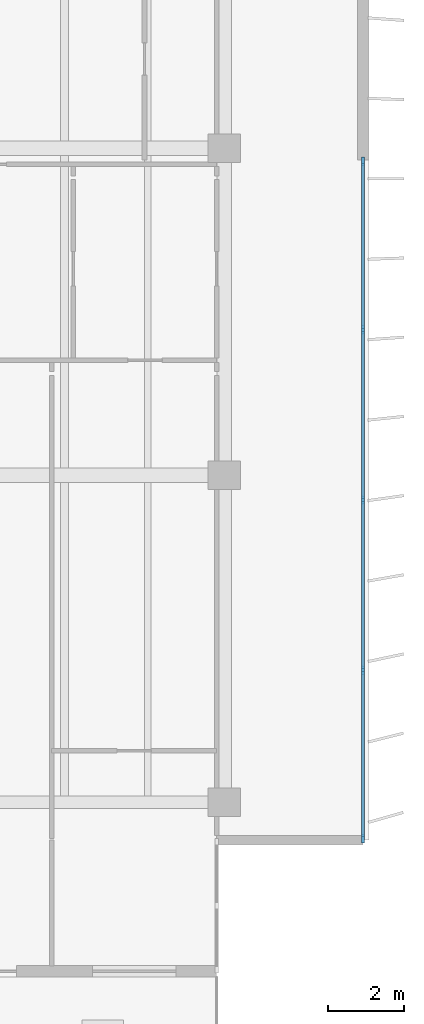
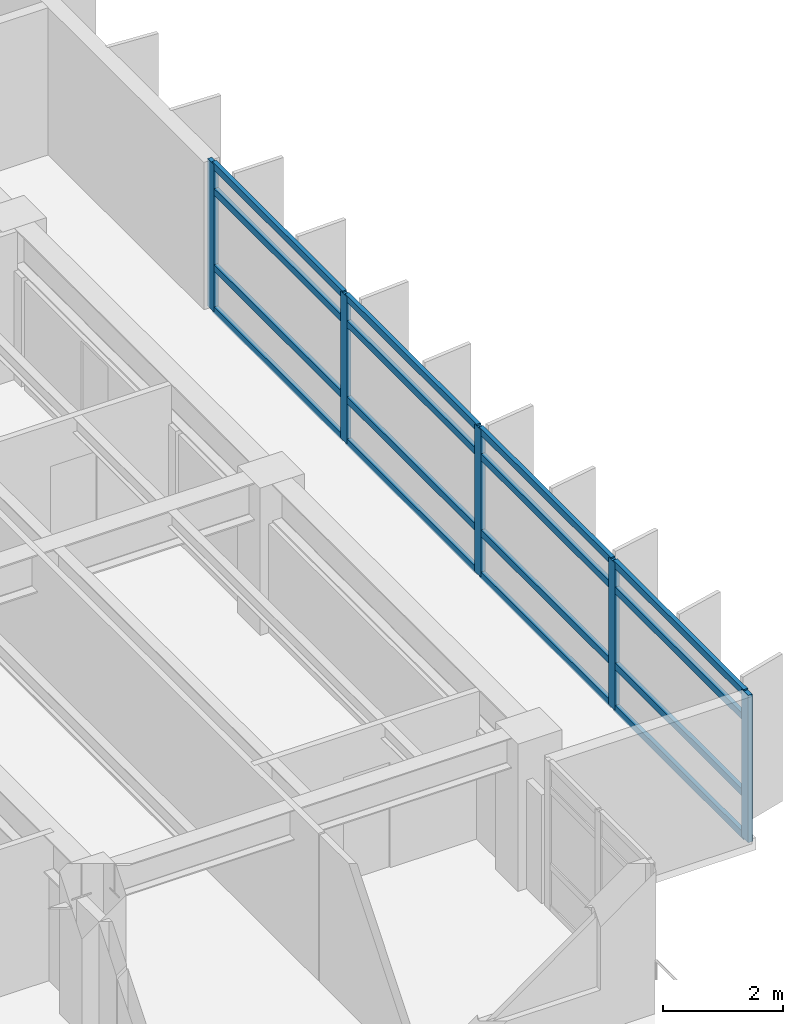
# One storey, part 6 of 19: 21 members, 1 element without a shape of its own.
"""IFC4 building model written with IfcOpenShell, lengths in metres."""

from ifc_helpers import new_model, si_unit, direction, frame, origin, origin_2d, place, context, subcontext, project, spatial, rectangle, extrude, material, layer, layer_set, material_profile, profile_set, type_object, element, aggregate, save


model = new_model("IFC4")

# Units and contexts
model_context = context("Model", 3, precision=1e-05, world=origin(), true_north=direction((0.0, 1.0)))
body_context = subcontext(model_context, "Body", "Model", "MODEL_VIEW")
ifc_project = project(units=[si_unit("LENGTHUNIT", "METRE"), si_unit("AREAUNIT", "SQUARE_METRE"), si_unit("VOLUMEUNIT", "CUBIC_METRE"), si_unit("PLANEANGLEUNIT", "RADIAN"), si_unit("MASSUNIT", "GRAM", prefix="KILO")], contexts=[model_context])

# Site, building, storey
site_placement = place(None, origin())
site = spatial("IfcSite", under=ifc_project, at=site_placement, CompositionType="ELEMENT")
building_placement = place(site_placement, origin())
building = spatial("IfcBuilding", under=site, at=building_placement, Name="Caelmar Bay Residences", CompositionType="ELEMENT")
storey_placement = place(building_placement, frame((0.0, 0.0, 218.10009765625)))
storey = spatial("IfcBuildingStorey", under=building, at=storey_placement, Name="L61", CompositionType="ELEMENT", Elevation=218.10009765625)

# Curtain wall, members
ifc_material_1 = material(Name="Anodised bronze aluminium 6063-T6 and laminated glass", Category="aluminium")
ifc_layer = layer(ifc_material_1, 0.179931640625)
ifc_layer_set = layer_set([ifc_layer], Name="Anodised bronze aluminium 6063-T6 and laminated glass")
curtain_wall_type = type_object("IfcCurtainWallType", Name="CW4-Z3", PredefinedType="NOTDEFINED", material=ifc_layer_set)
curtain_wall_placement = place(storey_placement, origin())
curtain_wall = element("IfcCurtainWall", 1, at=curtain_wall_placement, inside=storey, type_object=curtain_wall_type, Name="CW4 curtain wall L61", PredefinedType="NOTDEFINED")
ifc_material_2 = material(Name="Anodised bronze aluminium 6063-T6", Category="aluminium")
ifc_material_profile_1 = material_profile(ifc_material_2, rectangle(XDim=0.080078125, YDim=0.219970703125, at=origin_2d()), Name="CWM-80X220")
ifc_profile_set_1 = profile_set([ifc_material_profile_1], Name="Anodised bronze aluminium 6063-T6")
member_type_1 = type_object("IfcMemberType", Name="CWM-220", PredefinedType="MULLION", material=ifc_profile_set_1)
member_1_placement = place(storey_placement, frame((71.550048828125, 29.06005859375, 0.0), z_axis=(0.0, 0.0, 1.0), x_axis=(1.0, 0.0, 0.0)))
member_1 = element("IfcMember", 2, at=member_1_placement, type_object=member_type_1, Name="CW4 mullion 1", PredefinedType="MULLION", context=body_context, shape_type="SweptSolid", body=[
    extrude(rectangle(XDim=0.080078125, YDim=0.219970703125, at=origin_2d()), origin(), (0.0, 0.0, 1.0), 3.0),
])
member_2_placement = place(storey_placement, frame((71.550048828125, 24.625, 0.0), z_axis=(0.0, 0.0, 1.0), x_axis=(1.0, 0.0, 0.0)))
member_2 = element("IfcMember", 3, at=member_2_placement, type_object=member_type_1, Name="CW4 mullion 2", PredefinedType="MULLION", context=body_context, shape_type="SweptSolid", body=[
    extrude(rectangle(XDim=0.080078125, YDim=0.219970703125, at=origin_2d()), origin(), (0.0, 0.0, 1.0), 3.0),
])
member_3_placement = place(storey_placement, frame((71.550048828125, 20.14990234375, 0.0), z_axis=(0.0, 0.0, 1.0), x_axis=(1.0, 0.0, 0.0)))
member_3 = element("IfcMember", 4, at=member_3_placement, type_object=member_type_1, Name="CW4 mullion 3", PredefinedType="MULLION", context=body_context, shape_type="SweptSolid", body=[
    extrude(rectangle(XDim=0.080078125, YDim=0.219970703125, at=origin_2d()), origin(), (0.0, 0.0, 1.0), 3.0),
])
member_4_placement = place(storey_placement, frame((71.550048828125, 15.675048828125, 0.0), z_axis=(0.0, 0.0, 1.0), x_axis=(1.0, 0.0, 0.0)))
member_4 = element("IfcMember", 5, at=member_4_placement, type_object=member_type_1, Name="CW4 mullion 4", PredefinedType="MULLION", context=body_context, shape_type="SweptSolid", body=[
    extrude(rectangle(XDim=0.080078125, YDim=0.219970703125, at=origin_2d()), origin(), (0.0, 0.0, 1.0), 3.0),
])
member_5_placement = place(storey_placement, frame((71.550048828125, 11.239990234375, 0.0), z_axis=(0.0, 0.0, 1.0), x_axis=(1.0, 0.0, 0.0)))
member_5 = element("IfcMember", 6, at=member_5_placement, type_object=member_type_1, Name="CW4 mullion 5", PredefinedType="MULLION", context=body_context, shape_type="SweptSolid", body=[
    extrude(rectangle(XDim=0.080078125, YDim=0.219970703125, at=origin_2d()), origin(), (0.0, 0.0, 1.0), 3.0),
])
ifc_material_profile_2 = material_profile(ifc_material_2, rectangle(XDim=0.080078125, YDim=0.139892578125, at=origin_2d()), Name="CWT-80X140")
ifc_profile_set_2 = profile_set([ifc_material_profile_2], Name="Anodised bronze aluminium 6063-T6")
member_type_2 = type_object("IfcMemberType", Name="CWT-140", PredefinedType="NOTDEFINED", material=ifc_profile_set_2)
member_6_placement = place(storey_placement, frame((71.550048828125, 29.02001953125, 0.039794921875), z_axis=(0.0, -1.0, 0.0), x_axis=(1.0, 0.0, 0.0)))
member_6 = element("IfcMember", 7, at=member_6_placement, type_object=member_type_2, Name="CW4 transom 1.1", ObjectType="TRANSOM", PredefinedType="USERDEFINED", context=body_context, shape_type="SweptSolid", body=[
    extrude(rectangle(XDim=0.080078125, YDim=0.139892578125, at=origin_2d()), origin(), (0.0, 0.0, 1.0), 4.35498046875),
])
member_7_placement = place(storey_placement, frame((71.550048828125, 29.02001953125, 0.89990234375), z_axis=(0.0, -1.0, 0.0), x_axis=(1.0, 0.0, 0.0)))
member_7 = element("IfcMember", 8, at=member_7_placement, type_object=member_type_2, Name="CW4 transom 1.2", ObjectType="TRANSOM", PredefinedType="USERDEFINED", context=body_context, shape_type="SweptSolid", body=[
    extrude(rectangle(XDim=0.080078125, YDim=0.139892578125, at=origin_2d()), origin(), (0.0, 0.0, 1.0), 4.35498046875),
])
member_8_placement = place(storey_placement, frame((71.550048828125, 29.02001953125, 2.449951171875), z_axis=(0.0, -1.0, 0.0), x_axis=(1.0, 0.0, 0.0)))
member_8 = element("IfcMember", 9, at=member_8_placement, type_object=member_type_2, Name="CW4 transom 1.3", ObjectType="TRANSOM", PredefinedType="USERDEFINED", context=body_context, shape_type="SweptSolid", body=[
    extrude(rectangle(XDim=0.080078125, YDim=0.139892578125, at=origin_2d()), origin(), (0.0, 0.0, 1.0), 4.35498046875),
])
member_9_placement = place(storey_placement, frame((71.550048828125, 29.02001953125, 2.9599609375), z_axis=(0.0, -1.0, 0.0), x_axis=(1.0, 0.0, 0.0)))
member_9 = element("IfcMember", 10, at=member_9_placement, type_object=member_type_2, Name="CW4 transom 1.4", ObjectType="TRANSOM", PredefinedType="USERDEFINED", context=body_context, shape_type="SweptSolid", body=[
    extrude(rectangle(XDim=0.080078125, YDim=0.139892578125, at=origin_2d()), origin(), (0.0, 0.0, 1.0), 4.35498046875),
])
member_10_placement = place(storey_placement, frame((71.550048828125, 24.5849609375, 0.039794921875), z_axis=(0.0, -1.0, 0.0), x_axis=(1.0, 0.0, 0.0)))
member_10 = element("IfcMember", 11, at=member_10_placement, type_object=member_type_2, Name="CW4 transom 2.1", ObjectType="TRANSOM", PredefinedType="USERDEFINED", context=body_context, shape_type="SweptSolid", body=[
    extrude(rectangle(XDim=0.080078125, YDim=0.139892578125, at=origin_2d()), origin(), (0.0, 0.0, 1.0), 4.39501953125),
])
member_11_placement = place(storey_placement, frame((71.550048828125, 24.5849609375, 0.89990234375), z_axis=(0.0, -1.0, 0.0), x_axis=(1.0, 0.0, 0.0)))
member_11 = element("IfcMember", 12, at=member_11_placement, type_object=member_type_2, Name="CW4 transom 2.2", ObjectType="TRANSOM", PredefinedType="USERDEFINED", context=body_context, shape_type="SweptSolid", body=[
    extrude(rectangle(XDim=0.080078125, YDim=0.139892578125, at=origin_2d()), origin(), (0.0, 0.0, 1.0), 4.39501953125),
])
member_12_placement = place(storey_placement, frame((71.550048828125, 24.5849609375, 2.449951171875), z_axis=(0.0, -1.0, 0.0), x_axis=(1.0, 0.0, 0.0)))
member_12 = element("IfcMember", 13, at=member_12_placement, type_object=member_type_2, Name="CW4 transom 2.3", ObjectType="TRANSOM", PredefinedType="USERDEFINED", context=body_context, shape_type="SweptSolid", body=[
    extrude(rectangle(XDim=0.080078125, YDim=0.139892578125, at=origin_2d()), origin(), (0.0, 0.0, 1.0), 4.39501953125),
])
member_13_placement = place(storey_placement, frame((71.550048828125, 24.5849609375, 2.9599609375), z_axis=(0.0, -1.0, 0.0), x_axis=(1.0, 0.0, 0.0)))
member_13 = element("IfcMember", 14, at=member_13_placement, type_object=member_type_2, Name="CW4 transom 2.4", ObjectType="TRANSOM", PredefinedType="USERDEFINED", context=body_context, shape_type="SweptSolid", body=[
    extrude(rectangle(XDim=0.080078125, YDim=0.139892578125, at=origin_2d()), origin(), (0.0, 0.0, 1.0), 4.39501953125),
])
member_14_placement = place(storey_placement, frame((71.550048828125, 20.110107421875, 0.039794921875), z_axis=(0.0, -1.0, 0.0), x_axis=(1.0, 0.0, 0.0)))
member_14 = element("IfcMember", 15, at=member_14_placement, type_object=member_type_2, Name="CW4 transom 3.1", ObjectType="TRANSOM", PredefinedType="USERDEFINED", context=body_context, shape_type="SweptSolid", body=[
    extrude(rectangle(XDim=0.080078125, YDim=0.139892578125, at=origin_2d()), origin(), (0.0, 0.0, 1.0), 4.39501953125),
])
member_15_placement = place(storey_placement, frame((71.550048828125, 20.110107421875, 0.89990234375), z_axis=(0.0, -1.0, 0.0), x_axis=(1.0, 0.0, 0.0)))
member_15 = element("IfcMember", 16, at=member_15_placement, type_object=member_type_2, Name="CW4 transom 3.2", ObjectType="TRANSOM", PredefinedType="USERDEFINED", context=body_context, shape_type="SweptSolid", body=[
    extrude(rectangle(XDim=0.080078125, YDim=0.139892578125, at=origin_2d()), origin(), (0.0, 0.0, 1.0), 4.39501953125),
])
member_16_placement = place(storey_placement, frame((71.550048828125, 20.110107421875, 2.449951171875), z_axis=(0.0, -1.0, 0.0), x_axis=(1.0, 0.0, 0.0)))
member_16 = element("IfcMember", 17, at=member_16_placement, type_object=member_type_2, Name="CW4 transom 3.3", ObjectType="TRANSOM", PredefinedType="USERDEFINED", context=body_context, shape_type="SweptSolid", body=[
    extrude(rectangle(XDim=0.080078125, YDim=0.139892578125, at=origin_2d()), origin(), (0.0, 0.0, 1.0), 4.39501953125),
])
member_17_placement = place(storey_placement, frame((71.550048828125, 20.110107421875, 2.9599609375), z_axis=(0.0, -1.0, 0.0), x_axis=(1.0, 0.0, 0.0)))
member_17 = element("IfcMember", 18, at=member_17_placement, type_object=member_type_2, Name="CW4 transom 3.4", ObjectType="TRANSOM", PredefinedType="USERDEFINED", context=body_context, shape_type="SweptSolid", body=[
    extrude(rectangle(XDim=0.080078125, YDim=0.139892578125, at=origin_2d()), origin(), (0.0, 0.0, 1.0), 4.39501953125),
])
member_18_placement = place(storey_placement, frame((71.550048828125, 15.635009765625, 0.039794921875), z_axis=(0.0, -1.0, 0.0), x_axis=(1.0, 0.0, 0.0)))
member_18 = element("IfcMember", 19, at=member_18_placement, type_object=member_type_2, Name="CW4 transom 4.1", ObjectType="TRANSOM", PredefinedType="USERDEFINED", context=body_context, shape_type="SweptSolid", body=[
    extrude(rectangle(XDim=0.080078125, YDim=0.139892578125, at=origin_2d()), origin(), (0.0, 0.0, 1.0), 4.35498046875),
])
member_19_placement = place(storey_placement, frame((71.550048828125, 15.635009765625, 0.89990234375), z_axis=(0.0, -1.0, 0.0), x_axis=(1.0, 0.0, 0.0)))
member_19 = element("IfcMember", 20, at=member_19_placement, type_object=member_type_2, Name="CW4 transom 4.2", ObjectType="TRANSOM", PredefinedType="USERDEFINED", context=body_context, shape_type="SweptSolid", body=[
    extrude(rectangle(XDim=0.080078125, YDim=0.139892578125, at=origin_2d()), origin(), (0.0, 0.0, 1.0), 4.35498046875),
])
member_20_placement = place(storey_placement, frame((71.550048828125, 15.635009765625, 2.449951171875), z_axis=(0.0, -1.0, 0.0), x_axis=(1.0, 0.0, 0.0)))
member_20 = element("IfcMember", 21, at=member_20_placement, type_object=member_type_2, Name="CW4 transom 4.3", ObjectType="TRANSOM", PredefinedType="USERDEFINED", context=body_context, shape_type="SweptSolid", body=[
    extrude(rectangle(XDim=0.080078125, YDim=0.139892578125, at=origin_2d()), origin(), (0.0, 0.0, 1.0), 4.35498046875),
])
member_21_placement = place(storey_placement, frame((71.550048828125, 15.635009765625, 2.9599609375), z_axis=(0.0, -1.0, 0.0), x_axis=(1.0, 0.0, 0.0)))
member_21 = element("IfcMember", 22, at=member_21_placement, type_object=member_type_2, Name="CW4 transom 4.4", ObjectType="TRANSOM", PredefinedType="USERDEFINED", context=body_context, shape_type="SweptSolid", body=[
    extrude(rectangle(XDim=0.080078125, YDim=0.139892578125, at=origin_2d()), origin(), (0.0, 0.0, 1.0), 4.35498046875),
])
aggregate(curtain_wall, [member_1, member_2, member_3, member_4, member_5, member_6, member_7, member_8, member_9, member_10, member_11, member_12, member_13, member_14, member_15, member_16, member_17, member_18, member_19, member_20, member_21])

save(model, "model.ifc")
